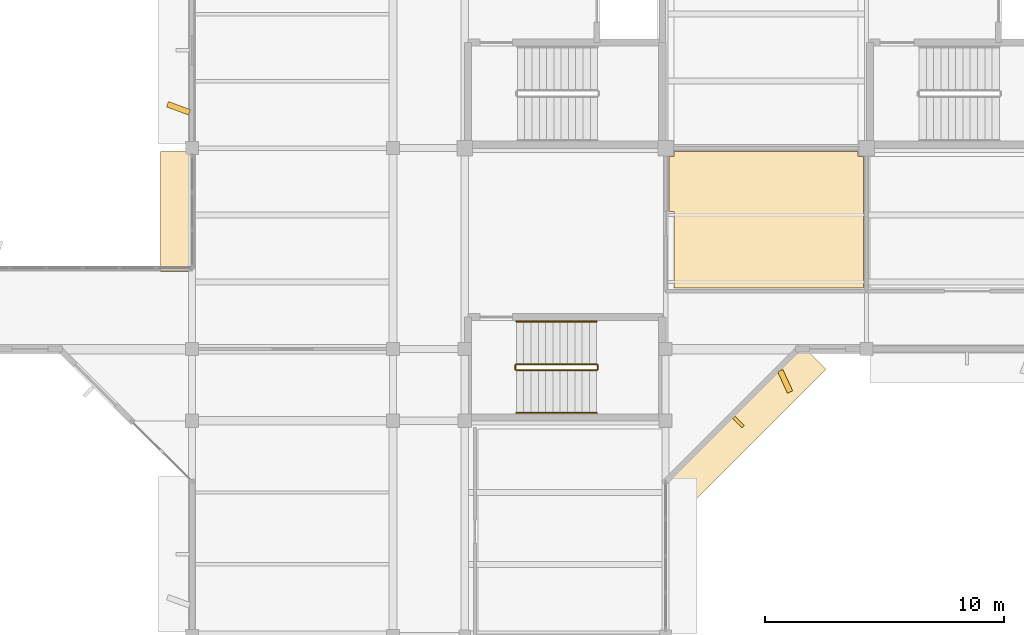
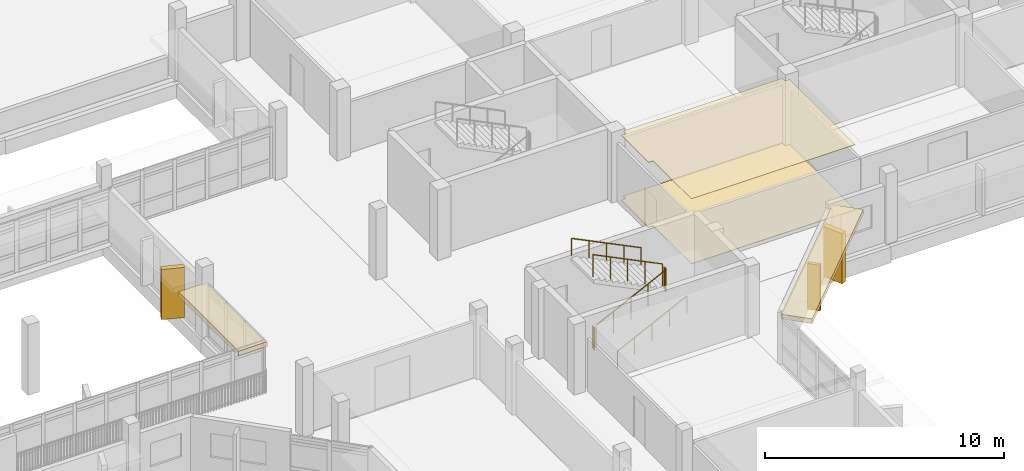
# One storey, part 86 of 92: 6 coverings, 6 railings, 1 shading device.
"""IFC4 building model written with IfcOpenShell, lengths in metres."""

from ifc_helpers import new_model, si_unit, direction, frame, origin, origin_2d, place, context, subcontext, project, spatial, polyline, rectangle, circle, outline, extrude, material, layer, layer_set, type_object, element, save


model = new_model("IFC4")

# Units and contexts
model_context = context("Model", 3, precision=1e-05, world=origin(), true_north=direction((0.0, 1.0)))
body_context = subcontext(model_context, "Body", "Model", "MODEL_VIEW")
ifc_project = project(units=[si_unit("LENGTHUNIT", "METRE"), si_unit("AREAUNIT", "SQUARE_METRE"), si_unit("VOLUMEUNIT", "CUBIC_METRE"), si_unit("PLANEANGLEUNIT", "RADIAN"), si_unit("MASSUNIT", "GRAM", prefix="KILO")], contexts=[model_context])

# Site, building, storey
site_placement = place(None, origin())
site = spatial("IfcSite", under=ifc_project, at=site_placement, CompositionType="ELEMENT")
building_placement = place(site_placement, origin())
building = spatial("IfcBuilding", under=site, at=building_placement, Name="Vanh Quang Courtyard School", CompositionType="ELEMENT")
storey_placement = place(building_placement, frame((0.0, 0.0, 7.800048828125)))
storey = spatial("IfcBuildingStorey", under=building, at=storey_placement, Name="L02", CompositionType="ELEMENT", Elevation=7.800048828125)

# Coverings
ifc_material_1 = material(Name="Perforated mineral-fibre acoustic ceiling board")
ifc_layer_1 = layer(ifc_material_1, 0.02490234375)
ifc_layer_set_1 = layer_set([ifc_layer_1], Name="Perforated mineral-fibre acoustic ceiling board")
covering_type_1 = type_object("IfcCoveringType", Name="COV-CEIL-ACOUSTIC", PredefinedType="CEILING", material=ifc_layer_set_1)
covering_1_placement = place(storey_placement, frame((0.0, 0.0, 3.31494140625)))
element("IfcCovering", 1, at=covering_1_placement, inside=storey, type_object=covering_type_1, Name="Covering CV-CL1 (L02)", PredefinedType="CEILING", context=body_context, shape_type="SweptSolid", body=[
    extrude(outline(polyline([(85.929931640625, 79.449951171875), (86.14990234375, 79.449951171875), (86.14990234375, 79.669921875), (93.85009765625, 79.669921875), (93.85009765625, 79.449951171875), (94.070068359375, 79.449951171875), (94.070068359375, 73.9599609375), (94.070068359375, 73.958984375), (94.06982421875, 73.9580078125), (94.069580078125, 73.95703125), (94.069091796875, 73.956298828125), (94.06884765625, 73.955322265625), (94.068359375, 73.954345703125), (94.067626953125, 73.95361328125), (94.067138671875, 73.952880859375), (94.06640625, 73.952392578125), (94.065673828125, 73.95166015625), (94.064697265625, 73.951171875), (94.063720703125, 73.95068359375), (94.06298828125, 73.950439453125), (94.06201171875, 73.9501953125), (94.06103515625, 73.949951171875), (94.06005859375, 73.949951171875), (86.14990234375, 73.949951171875), (86.14990234375, 77.14990234375), (85.929931640625, 77.14990234375), (85.929931640625, 79.449951171875)])), origin(), (0.0, 0.0, 1.0), 0.02490234375),
])
ifc_material_2 = material(Name="Polished cementitious terrazzo tile", Category="concrete")
ifc_layer_2 = layer(ifc_material_2, 0.02001953125)
ifc_layer_set_2 = layer_set([ifc_layer_2], Name="Polished cementitious terrazzo tile")
covering_type_2 = type_object("IfcCoveringType", Name="COV-FLR-TERRAZZO", PredefinedType="FLOORING", material=ifc_layer_set_2)
covering_2_placement = place(storey_placement, origin())
element("IfcCovering", 2, at=covering_2_placement, inside=storey, type_object=covering_type_2, Name="Covering CV-FL1 (L02)", PredefinedType="FLOORING", context=body_context, shape_type="SweptSolid", body=[
    extrude(outline(polyline([(85.929931640625, 79.449951171875), (86.14990234375, 79.449951171875), (86.14990234375, 79.669921875), (93.85009765625, 79.669921875), (93.85009765625, 79.449951171875), (94.070068359375, 79.449951171875), (94.070068359375, 73.9599609375), (94.070068359375, 73.958984375), (94.06982421875, 73.9580078125), (94.069580078125, 73.95703125), (94.069091796875, 73.956298828125), (94.06884765625, 73.955322265625), (94.068359375, 73.954345703125), (94.067626953125, 73.95361328125), (94.067138671875, 73.952880859375), (94.06640625, 73.952392578125), (94.065673828125, 73.95166015625), (94.064697265625, 73.951171875), (94.063720703125, 73.95068359375), (94.06298828125, 73.950439453125), (94.06201171875, 73.9501953125), (94.06103515625, 73.949951171875), (94.06005859375, 73.949951171875), (86.14990234375, 73.949951171875), (86.14990234375, 77.14990234375), (85.929931640625, 77.14990234375), (85.929931640625, 79.449951171875)])), origin(), (0.0, 0.0, 1.0), 0.02001953125),
])
ifc_material_3 = material(Name="Board-marked precast concrete C40/50", Category="concrete")
ifc_layer_3 = layer(ifc_material_3, 0.239990234375)
ifc_layer_set_3 = layer_set([ifc_layer_3], Name="Board-marked precast concrete C40/50")
covering_type_3 = type_object("IfcCoveringType", Name="COV-HOOD-CONC", PredefinedType="CLADDING", material=ifc_layer_set_3)
covering_3_placement = place(storey_placement, frame((89.09521484375, 68.104736328125, 2.39990234375), z_axis=(0.0, 0.0, 1.0), x_axis=(-0.707106781187, -0.707106781187, 0.0)))
element("IfcCovering", 3, at=covering_3_placement, inside=storey, type_object=covering_type_3, Name="Covering CH-01 (L02)", PredefinedType="CLADDING", context=body_context, shape_type="SweptSolid", body=[
    extrude(rectangle(XDim=8.280517578125, YDim=1.35009765625, at=origin_2d()), origin(), (0.0, 0.0, 1.0), 0.239990234375),
])
covering_4_placement = place(storey_placement, frame((90.797607421875, 70.04736328125, 0.0), z_axis=(0.0, 0.0, 1.0), x_axis=(0.418184177516, -0.908362259055, 0.0)))
element("IfcCovering", 4, at=covering_4_placement, inside=storey, type_object=covering_type_3, Name="Covering CH-01 (L02)", PredefinedType="CLADDING", context=body_context, shape_type="SweptSolid", body=[
    extrude(rectangle(XDim=0.980712890625, YDim=0.239990234375, at=origin_2d()), origin(), (0.0, 0.0, 1.0), 2.56005859375),
])
covering_5_placement = place(storey_placement, frame((65.3798828125, 77.158447265625, 2.41015625), z_axis=(0.0, 0.0, 1.0), x_axis=(0.0, 1.0, 0.0)))
element("IfcCovering", 5, at=covering_5_placement, inside=storey, type_object=covering_type_3, Name="Covering CH-01 (L02)", PredefinedType="CLADDING", context=body_context, shape_type="SweptSolid", body=[
    extrude(rectangle(XDim=5.01708984375, YDim=1.39990234375, at=origin_2d()), origin(), (0.0, 0.0, 1.0), 0.239990234375),
])
covering_6_placement = place(storey_placement, frame((65.429931640625, 81.466552734375, 0.0), z_axis=(0.0, 0.0, 1.0), x_axis=(-0.938009980858, 0.346608245445, 0.0)))
element("IfcCovering", 6, at=covering_6_placement, inside=storey, type_object=covering_type_3, Name="Covering CH-01 (L02)", PredefinedType="CLADDING", context=body_context, shape_type="SweptSolid", body=[
    extrude(rectangle(XDim=0.980712890625, YDim=0.239990234375, at=origin_2d()), origin(), (0.0, 0.0, 1.0), 2.56005859375),
])

# Railings
ifc_material_4 = material(Name="Galvanised painted steel EN 10025-2 S355J2", Category="steel")
railing_type_1 = type_object("IfcRailingType", Name="RAIL-GUARD-1150", PredefinedType="BALUSTRADE", material=ifc_material_4)
railing_1_placement = place(storey_placement, frame((79.56005859375, 70.510009765625, 0.14990234375)))
element("IfcRailing", 7, at=railing_1_placement, inside=storey, type_object=railing_type_1, Name="L02 ST-05 stair guard 1", PredefinedType="BALUSTRADE", context=body_context, shape_type="SweptSolid", body=[
    extrude(circle(Radius=0.02392578125, at=origin_2d()), frame((0.0, 0.0, 1.1259765625), z_axis=(0.89733343241, 0.0, 0.441353272424), x_axis=(0.0, 1.0, 0.0)), (0.0, 0.0, 1.0), 3.73876953125),
    extrude(circle(Radius=0.02099609375, at=origin_2d()), origin(), (0.0, 0.0, 1.0), 1.101806640625),
    extrude(circle(Radius=0.02099609375, at=origin_2d()), frame((0.8388671875, 0.0, 0.41259765625)), (0.0, 0.0, 1.0), 1.101806640625),
    extrude(circle(Radius=0.02099609375, at=origin_2d()), frame((1.677490234375, 0.0, 0.8251953125)), (0.0, 0.0, 1.0), 1.101806640625),
    extrude(circle(Radius=0.02099609375, at=origin_2d()), frame((2.51611328125, 0.0, 1.237548828125)), (0.0, 0.0, 1.0), 1.101806640625),
    extrude(circle(Radius=0.02099609375, at=origin_2d()), frame((3.35498046875, 0.0, 1.650146484375)), (0.0, 0.0, 1.0), 1.101806640625),
])
railing_2_placement = place(storey_placement, frame((82.965087890625, 70.56005859375, 1.800048828125)))
element("IfcRailing", 8, at=railing_2_placement, inside=storey, type_object=railing_type_1, Name="L02 ST-05 stair guard 2", PredefinedType="BALUSTRADE", context=body_context, shape_type="SweptSolid", body=[
    extrude(circle(Radius=0.02392578125, at=origin_2d()), frame((0.0, 0.0, 1.1259765625), z_axis=(0.0, 1.0, 0.0), x_axis=(-1.0, 0.0, 0.0)), (0.0, 0.0, 1.0), 0.159912109375),
    extrude(circle(Radius=0.02099609375, at=origin_2d()), origin(), (0.0, 0.0, 1.0), 1.101806640625),
    extrude(circle(Radius=0.02099609375, at=origin_2d()), frame((0.0, 0.159912109375, 0.0)), (0.0, 0.0, 1.0), 1.101806640625),
])
railing_3_placement = place(storey_placement, frame((82.9150390625, 70.77001953125, 1.949951171875)))
element("IfcRailing", 9, at=railing_3_placement, inside=storey, type_object=railing_type_1, Name="L02 ST-05 stair guard 3", PredefinedType="BALUSTRADE", context=body_context, shape_type="SweptSolid", body=[
    extrude(circle(Radius=0.02392578125, at=origin_2d()), frame((0.0, 0.0, 1.1259765625), z_axis=(-0.897359292542, 0.0, 0.441300691239), x_axis=(0.0, -1.0, 0.0)), (0.0, 0.0, 1.0), 3.73876953125),
    extrude(circle(Radius=0.02099609375, at=origin_2d()), origin(), (0.0, 0.0, 1.0), 1.101806640625),
    extrude(circle(Radius=0.02099609375, at=origin_2d()), frame((-0.8388671875, 0.0, 0.41259765625)), (0.0, 0.0, 1.0), 1.101806640625),
    extrude(circle(Radius=0.02099609375, at=origin_2d()), frame((-1.677490234375, 0.0, 0.824951171875)), (0.0, 0.0, 1.0), 1.101806640625),
    extrude(circle(Radius=0.02099609375, at=origin_2d()), frame((-2.51611328125, 0.0, 1.2373046875)), (0.0, 0.0, 1.0), 1.101806640625),
    extrude(circle(Radius=0.02099609375, at=origin_2d()), frame((-3.35498046875, 0.0, 1.64990234375)), (0.0, 0.0, 1.0), 1.101806640625),
])
railing_4_placement = place(storey_placement, frame((79.510009765625, 70.56005859375, 0.0)))
element("IfcRailing", 10, at=railing_4_placement, inside=storey, type_object=railing_type_1, Name="L02 ST-05 stair guard 4", PredefinedType="BALUSTRADE", context=body_context, shape_type="SweptSolid", body=[
    extrude(circle(Radius=0.02392578125, at=origin_2d()), frame((0.0, 0.0, 1.1259765625), z_axis=(0.0, 1.0, 0.0), x_axis=(-1.0, 0.0, 0.0)), (0.0, 0.0, 1.0), 0.159912109375),
    extrude(circle(Radius=0.02099609375, at=origin_2d()), origin(), (0.0, 0.0, 1.0), 1.101806640625),
    extrude(circle(Radius=0.02099609375, at=origin_2d()), frame((0.0, 0.159912109375, 0.0)), (0.0, 0.0, 1.0), 1.101806640625),
])
ifc_material_5 = material(Name="Brushed stainless steel", Category="steel")
railing_type_2 = type_object("IfcRailingType", Name="RAIL-HAND-900", PredefinedType="HANDRAIL", material=ifc_material_5)
railing_5_placement = place(storey_placement, frame((79.56005859375, 68.72998046875, 0.14990234375)))
element("IfcRailing", 11, at=railing_5_placement, inside=storey, type_object=railing_type_2, Name="L02 ST-05 stair handrail 1", PredefinedType="HANDRAIL", context=body_context, shape_type="SweptSolid", body=[
    extrude(circle(Radius=0.02392578125, at=origin_2d()), frame((0.0, 0.0, 0.8759765625), z_axis=(0.89733343241, 0.0, 0.441353272424), x_axis=(0.0, 1.0, 0.0)), (0.0, 0.0, 1.0), 3.73876953125),
    extrude(circle(Radius=0.02099609375, at=origin_2d()), origin(), (0.0, 0.0, 1.0), 0.851806640625),
    extrude(circle(Radius=0.02099609375, at=origin_2d()), frame((0.8388671875, 0.0, 0.41259765625)), (0.0, 0.0, 1.0), 0.851806640625),
    extrude(circle(Radius=0.02099609375, at=origin_2d()), frame((1.677490234375, 0.0, 0.8251953125)), (0.0, 0.0, 1.0), 0.851806640625),
    extrude(circle(Radius=0.02099609375, at=origin_2d()), frame((2.51611328125, 0.0, 1.237548828125)), (0.0, 0.0, 1.0), 0.851806640625),
    extrude(circle(Radius=0.02099609375, at=origin_2d()), frame((3.35498046875, 0.0, 1.650146484375)), (0.0, 0.0, 1.0), 0.851806640625),
])
railing_6_placement = place(storey_placement, frame((82.9150390625, 72.550048828125, 1.949951171875)))
element("IfcRailing", 12, at=railing_6_placement, inside=storey, type_object=railing_type_2, Name="L02 ST-05 stair handrail 2", PredefinedType="HANDRAIL", context=body_context, shape_type="SweptSolid", body=[
    extrude(circle(Radius=0.02392578125, at=origin_2d()), frame((0.0, 0.0, 0.8759765625), z_axis=(-0.897359292542, 0.0, 0.441300691239), x_axis=(0.0, -1.0, 0.0)), (0.0, 0.0, 1.0), 3.73876953125),
    extrude(circle(Radius=0.02099609375, at=origin_2d()), origin(), (0.0, 0.0, 1.0), 0.851806640625),
    extrude(circle(Radius=0.02099609375, at=origin_2d()), frame((-0.8388671875, 0.0, 0.41259765625)), (0.0, 0.0, 1.0), 0.851806640625),
    extrude(circle(Radius=0.02099609375, at=origin_2d()), frame((-1.677490234375, 0.0, 0.824951171875)), (0.0, 0.0, 1.0), 0.851806640625),
    extrude(circle(Radius=0.02099609375, at=origin_2d()), frame((-2.51611328125, 0.0, 1.2373046875)), (0.0, 0.0, 1.0), 0.851806640625),
    extrude(circle(Radius=0.02099609375, at=origin_2d()), frame((-3.35498046875, 0.0, 1.64990234375)), (0.0, 0.0, 1.0), 0.851806640625),
])

# Shading device
shading_device_type = type_object("IfcShadingDeviceType", Name="SHD-FIN-CONCRETE", PredefinedType="USERDEFINED", material=ifc_material_3)
shading_device_placement = place(storey_placement, frame((88.851318359375, 68.3486328125, 0.14990234375), z_axis=(0.0, 0.0, 1.0), x_axis=(-0.707106781187, -0.707106781187, 0.0)))
element("IfcShadingDevice", 13, at=shading_device_placement, inside=storey, type_object=shading_device_type, Name="Solar Shading SH-02 (L02)", ObjectType="Solar Shading SH-02 (L02)", PredefinedType="USERDEFINED", context=body_context, shape_type="SweptSolid", body=[
    extrude(rectangle(XDim=0.139892578125, YDim=0.550048828125, at=origin_2d()), origin(), (0.0, 0.0, 1.0), 2.340087890625),
])

save(model, "model.ifc")
